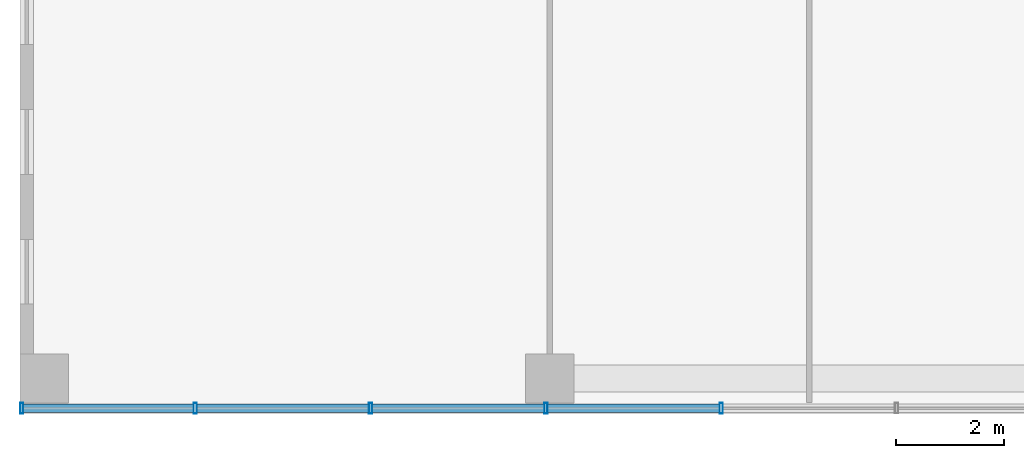
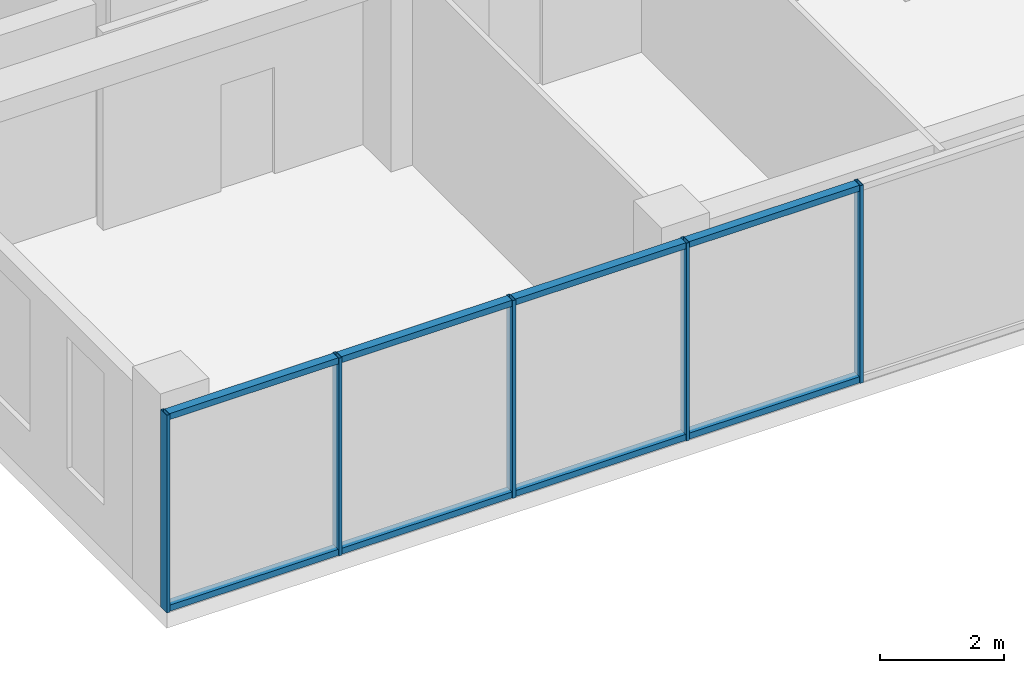
# One storey, part 2 of 38: 13 members, 1 element without a shape of its own.
"""IFC4 building model written with IfcOpenShell, lengths in metres."""

import ifcopenshell
import ifcopenshell.guid

model = None  # the IFC model being written
_history = None  # IfcOwnerHistory: only IFC2X3 demands one
_inside = {}  # id of a spatial element -> (the spatial element, [elements in it])
_under = {}  # id of a project, library or spatial element -> (it, [spatial elements below it])
_declared = {}  # id of a project -> (the project, [libraries it declares])
_typed = {}  # id of a type object -> (the type object, [elements of that type])
_made_of = {}  # id of a material, layer set ... -> (it, [elements and type objects made of it])


def new_model(schema):
    """Start an empty IFC model of exactly this schema.

    Asked for "IFC4X3", IfcOpenShell would pick the latest addendum, in which some entities
    have other attributes; the version numbers below select the first issue.
    IFC2X3 requires an IfcOwnerHistory on every rooted entity: one is made here for all.
    """
    global model, _history
    if schema == "IFC4X3":
        model = ifcopenshell.file(schema_version=(4, 3, 0, 0))
    else:
        model = ifcopenshell.file(schema=schema)
    _inside.clear()
    _under.clear()
    _declared.clear()
    _typed.clear()
    _made_of.clear()
    _history = None
    if model.schema == "IFC2X3":
        org = make("IfcOrganization", Name="unknown")
        user = make(
            "IfcPersonAndOrganization",
            ThePerson=make("IfcPerson", FamilyName="unknown"),
            TheOrganization=org,
        )
        app = make(
            "IfcApplication",
            ApplicationDeveloper=org,
            Version="unknown",
            ApplicationFullName="unknown",
            ApplicationIdentifier="unknown",
        )
        _history = make(
            "IfcOwnerHistory",
            OwningUser=user,
            OwningApplication=app,
            ChangeAction="ADDED",
            CreationDate=0,
        )
    return model


def make(cls, **values):
    """One entity of the class cls with the attributes given. An attribute that is None is left unset."""
    return model.create_entity(
        cls, **{name: value for name, value in values.items() if value is not None}
    )


def rooted(cls, **values):
    """An entity with a GlobalId (a new one), such as an element, a storey or a relation."""
    return make(cls, GlobalId=ifcopenshell.guid.new(), OwnerHistory=_history, **values)


def si_unit(unit_type, name, prefix=None):
    """IfcSIUnit, for example si_unit("LENGTHUNIT", "METRE", prefix="MILLI")."""
    return make("IfcSIUnit", UnitType=unit_type, Prefix=prefix, Name=name)


def assignment(units):
    """IfcUnitAssignment: the units of a project."""
    return None if units is None else make("IfcUnitAssignment", Units=units)


def point(xyz):
    """IfcCartesianPoint."""
    return None if xyz is None else make("IfcCartesianPoint", Coordinates=xyz)


def direction(xyz):
    """IfcDirection."""
    return None if xyz is None else make("IfcDirection", DirectionRatios=xyz)


def frame(location, z_axis=None, x_axis=None):
    """IfcAxis2Placement3D, a coordinate frame: its origin and axes. An axis left out is left unset."""
    return make(
        "IfcAxis2Placement3D",
        Location=point(location),
        Axis=direction(z_axis),
        RefDirection=direction(x_axis),
    )


def frame_2d(location, x_axis=None):
    """IfcAxis2Placement2D, a coordinate frame in the plane: its origin and x axis."""
    return make(
        "IfcAxis2Placement2D", Location=point(location), RefDirection=direction(x_axis)
    )


def origin():
    """The frame at (0, 0, 0) with its axes left unset."""
    return frame((0.0, 0.0, 0.0))


def origin_2d():
    """The frame at (0, 0) in the plane with its x axis left unset."""
    return frame_2d((0.0, 0.0))


def place(relative_to, where):
    """IfcLocalPlacement: puts the frame where relative to a parent placement (None: the world)."""
    return make(
        "IfcLocalPlacement", PlacementRelTo=relative_to, RelativePlacement=where
    )


def context(
    kind, dimensions, precision=None, world=None, true_north=None, identifier=None
):
    """IfcGeometricRepresentationContext, for example the 3D "Model" context."""
    return make(
        "IfcGeometricRepresentationContext",
        ContextIdentifier=identifier,
        ContextType=kind,
        CoordinateSpaceDimension=dimensions,
        Precision=precision,
        WorldCoordinateSystem=world,
        TrueNorth=true_north,
    )


def subcontext(parent, identifier, kind, view, scale=None):
    """IfcGeometricRepresentationSubContext, for example "Body" below "Model"."""
    return make(
        "IfcGeometricRepresentationSubContext",
        ContextIdentifier=identifier,
        ContextType=kind,
        ParentContext=parent,
        TargetScale=scale,
        TargetView=view,
    )


def project(units=None, contexts=None):
    """IfcProject with its units and contexts."""
    return rooted(
        "IfcProject",
        Name="project",
        RepresentationContexts=contexts,
        UnitsInContext=assignment(units),
    )


def spatial(cls, under=None, at=None, **own):
    """A site, building, storey or space (cls), placed at a placement, below another one or the project."""
    s = rooted(cls, ObjectPlacement=at, **own)
    if under is not None:
        _under.setdefault(under.id(), (under, []))[1].append(s)
    return s


def profile(cls, at=None, kind="AREA", **sizes):
    """A parametric profile (cls). Its sizes go by their IFC names, for example OverallWidth=200.0."""
    return make(cls, ProfileType=kind, Position=at, **sizes)


def hollow_rectangle(**sizes):
    """IfcRectangleHollowProfileDef."""
    return profile("IfcRectangleHollowProfileDef", **sizes)


def extrude(swept, where, along, depth):
    """IfcExtrudedAreaSolid: the profile swept, set in the frame where, extruded along a direction by depth."""
    return make(
        "IfcExtrudedAreaSolid",
        SweptArea=swept,
        Position=where,
        ExtrudedDirection=direction(along),
        Depth=depth,
    )


def shape(context_of_items, identifier, shape_type, items):
    """IfcShapeRepresentation: the items that make up one representation, for example the "Body"."""
    return make(
        "IfcShapeRepresentation",
        ContextOfItems=context_of_items,
        RepresentationIdentifier=identifier,
        RepresentationType=shape_type,
        Items=items,
    )


def material(Name=None, Category=None):
    """IfcMaterial."""
    return make("IfcMaterial", Name=Name, Category=Category)


def layer(
    of_material, thickness, ventilated=None, Name=None, Category=None, Priority=None
):
    """IfcMaterialLayer: one layer of a wall or slab, of a material (None: an air gap)."""
    return make(
        "IfcMaterialLayer",
        Material=of_material,
        LayerThickness=thickness,
        IsVentilated=ventilated,
        Name=Name,
        Category=Category,
        Priority=Priority,
    )


def layer_set(layers, Name=None):
    """IfcMaterialLayerSet."""
    return make("IfcMaterialLayerSet", MaterialLayers=layers, LayerSetName=Name)


def material_profile(
    of_material, cross_section, Name=None, Category=None, Priority=None
):
    """IfcMaterialProfile: a cross section and its material."""
    return make(
        "IfcMaterialProfile",
        Name=Name,
        Material=of_material,
        Profile=cross_section,
        Priority=Priority,
        Category=Category,
    )


def profile_set(profiles, Name=None, composite=None):
    """IfcMaterialProfileSet."""
    return make(
        "IfcMaterialProfileSet",
        Name=Name,
        MaterialProfiles=profiles,
        CompositeProfile=composite,
    )


def made_of(thing, what):
    """Note that an element or type object is made of a material, layer set ...; save() writes the relation."""
    if what is not None:
        _made_of.setdefault(what.id(), (what, []))[1].append(thing)
    return thing


def type_object(cls, material=None, **own):
    """A type object (cls), such as IfcWallType, which elements share."""
    return made_of(rooted(cls, **own), material)


def element(
    cls,
    number,
    at=None,
    inside=None,
    cuts=None,
    type_object=None,
    material=None,
    context=None,
    identifier="Body",
    shape_type=None,
    held_by="IfcProductDefinitionShape",
    body=None,
    shapes=None,
    **own,
):
    """One element of the class cls, such as IfcWall. Its Tag is "e" and its number.

    at: its placement. inside: the storey or other place that contains it. cuts: it is an
    opening in that element (IfcRelVoidsElement). A single representation is given by context,
    identifier, shape_type and body (its items); several are given by shapes. held_by: the class
    of the entity that holds the representations. save() writes the other relations.
    """
    e = rooted(cls, Tag="e%d" % number, ObjectPlacement=at, **own)
    if body is not None:
        shapes = [shape(context, identifier, shape_type, body)]
    if shapes is not None:
        e.Representation = make(held_by, Representations=shapes)
    if inside is not None:
        _inside.setdefault(inside.id(), (inside, []))[1].append(e)
    if cuts is not None:
        rooted(
            "IfcRelVoidsElement", RelatingBuildingElement=cuts, RelatedOpeningElement=e
        )
    if type_object is not None:
        _typed.setdefault(type_object.id(), (type_object, []))[1].append(e)
    return made_of(e, material)


def aggregate(whole, parts):
    """IfcRelAggregates: a whole, such as a stair, and the parts it consists of."""
    return rooted("IfcRelAggregates", RelatingObject=whole, RelatedObjects=parts)


def save(model, path):
    """Write the relations noted so far, then the file.

    IfcRelAggregates (storeys below a building ...), IfcRelContainedInSpatialStructure (elements
    in a storey), IfcRelDefinesByType, IfcRelAssociatesMaterial and IfcRelDeclares: one each for
    every whole, place, type object, material and project.
    """
    for whole, parts in _under.values():
        aggregate(whole, parts)
    for where, things in _inside.values():
        rooted(
            "IfcRelContainedInSpatialStructure",
            RelatedElements=things,
            RelatingStructure=where,
        )
    for kind, things in _typed.values():
        rooted("IfcRelDefinesByType", RelatedObjects=things, RelatingType=kind)
    for what, things in _made_of.values():
        rooted("IfcRelAssociatesMaterial", RelatedObjects=things, RelatingMaterial=what)
    for by, libraries in _declared.values():
        rooted("IfcRelDeclares", RelatingContext=by, RelatedDefinitions=libraries)
    model.write(path)


model = new_model("IFC4")

# Units and contexts
model_context = context("Model", 3, precision=1e-05, world=origin(), true_north=direction((0.0, 1.0)))
body_context = subcontext(model_context, "Body", "Model", "MODEL_VIEW")
ifc_project = project(units=[si_unit("LENGTHUNIT", "METRE"), si_unit("AREAUNIT", "SQUARE_METRE"), si_unit("VOLUMEUNIT", "CUBIC_METRE"), si_unit("PLANEANGLEUNIT", "RADIAN"), si_unit("MASSUNIT", "GRAM", prefix="KILO")], contexts=[model_context])

# Site, building, storey
site_placement = place(None, origin())
site = spatial("IfcSite", under=ifc_project, at=site_placement, CompositionType="ELEMENT")
building_placement = place(site_placement, origin())
building = spatial("IfcBuilding", under=site, at=building_placement, Name="Nzadi Deep Aquarium and Research Tower", CompositionType="ELEMENT")
storey_placement = place(building_placement, frame((0.0, 0.0, 52.89990234375)))
storey = spatial("IfcBuildingStorey", under=building, at=storey_placement, Name="L10", CompositionType="ELEMENT", Elevation=52.89990234375)

# Curtain wall, members
ifc_material_1 = material(Name="Aluminium unitised frame", Category="aluminium")
ifc_layer = layer(ifc_material_1, 0.199951171875)
ifc_layer_set = layer_set([ifc_layer], Name="Aluminium unitised frame")
curtain_wall_type = type_object("IfcCurtainWallType", Name="Curtain wall Unitised 200", PredefinedType="NOTDEFINED", material=ifc_layer_set)
curtain_wall_placement = place(storey_placement, origin())
curtain_wall = element("IfcCurtainWall", 1, at=curtain_wall_placement, inside=storey, type_object=curtain_wall_type, Name="Unitised curtain wall blade A south L10", PredefinedType="NOTDEFINED")
ifc_material_2 = material(Name="Aluminium unitised frame", Category="aluminium")
ifc_material_profile_1 = material_profile(ifc_material_2, hollow_rectangle(XDim=0.199951171875, YDim=0.06005859375, WallThickness=0.0048828125, at=origin_2d()))
ifc_profile_set_1 = profile_set([ifc_material_profile_1], Name="Aluminium unitised frame")
member_type_1 = type_object("IfcMemberType", Name="Mullion 60x200 Unitised", PredefinedType="MULLION", material=ifc_profile_set_1)
member_1_placement = place(storey_placement, frame((-0.16943359375, -0.10009765625, 0.0), z_axis=(0.0, 0.0, 1.0), x_axis=(0.0, 1.0, 0.0)))
member_1 = element("IfcMember", 2, at=member_1_placement, type_object=member_type_1, Name="CW036 mullion 1", PredefinedType="MULLION", context=body_context, shape_type="SweptSolid", body=[
    extrude(hollow_rectangle(XDim=0.199951171875, YDim=0.06005859375, WallThickness=0.0048828125, at=origin_2d()), origin(), (0.0, 0.0, 1.0), 3.900146484375),
])
member_2_placement = place(storey_placement, frame((3.043212890625, -0.10009765625, 0.0), z_axis=(0.0, 0.0, 1.0), x_axis=(0.0, 1.0, 0.0)))
member_2 = element("IfcMember", 3, at=member_2_placement, type_object=member_type_1, Name="CW036 mullion 2", PredefinedType="MULLION", context=body_context, shape_type="SweptSolid", body=[
    extrude(hollow_rectangle(XDim=0.199951171875, YDim=0.06005859375, WallThickness=0.0048828125, at=origin_2d()), origin(), (0.0, 0.0, 1.0), 3.900146484375),
])
member_3_placement = place(storey_placement, frame((6.28662109375, -0.10009765625, 0.0), z_axis=(0.0, 0.0, 1.0), x_axis=(0.0, 1.0, 0.0)))
member_3 = element("IfcMember", 4, at=member_3_placement, type_object=member_type_1, Name="CW036 mullion 3", PredefinedType="MULLION", context=body_context, shape_type="SweptSolid", body=[
    extrude(hollow_rectangle(XDim=0.199951171875, YDim=0.06005859375, WallThickness=0.0048828125, at=origin_2d()), origin(), (0.0, 0.0, 1.0), 3.900146484375),
])
member_4_placement = place(storey_placement, frame((9.530029296875, -0.10009765625, 0.0), z_axis=(0.0, 0.0, 1.0), x_axis=(0.0, 1.0, 0.0)))
member_4 = element("IfcMember", 5, at=member_4_placement, type_object=member_type_1, Name="CW036 mullion 4", PredefinedType="MULLION", context=body_context, shape_type="SweptSolid", body=[
    extrude(hollow_rectangle(XDim=0.199951171875, YDim=0.06005859375, WallThickness=0.0048828125, at=origin_2d()), origin(), (0.0, 0.0, 1.0), 3.900146484375),
])
member_5_placement = place(storey_placement, frame((12.7734375, -0.10009765625, 0.0), z_axis=(0.0, 0.0, 1.0), x_axis=(0.0, 1.0, 0.0)))
member_5 = element("IfcMember", 6, at=member_5_placement, type_object=member_type_1, Name="CW036 mullion 5", PredefinedType="MULLION", context=body_context, shape_type="SweptSolid", body=[
    extrude(hollow_rectangle(XDim=0.199951171875, YDim=0.06005859375, WallThickness=0.0048828125, at=origin_2d()), origin(), (0.0, 0.0, 1.0), 3.900146484375),
])
ifc_material_3 = material(Name="Aluminium unitised frame", Category="aluminium")
ifc_material_profile_2 = material_profile(ifc_material_3, hollow_rectangle(XDim=0.159912109375, YDim=0.1201171875, WallThickness=0.0048828125, at=origin_2d()))
ifc_profile_set_2 = profile_set([ifc_material_profile_2], Name="Aluminium unitised frame")
member_type_2 = type_object("IfcMemberType", Name="Transom 120x160 Unitised", PredefinedType="MULLION", material=ifc_profile_set_2)
member_6_placement = place(storey_placement, frame((-0.139892578125, -0.10009765625, 0.06005859375), z_axis=(1.0, 0.0, 0.0), x_axis=(0.0, 1.0, 0.0)))
member_6 = element("IfcMember", 7, at=member_6_placement, type_object=member_type_2, Name="CW036 transom 1.1", PredefinedType="MULLION", context=body_context, shape_type="SweptSolid", body=[
    extrude(hollow_rectangle(XDim=0.159912109375, YDim=0.1201171875, WallThickness=0.0048828125, at=origin_2d()), origin(), (0.0, 0.0, 1.0), 3.1533203125),
])
member_7_placement = place(storey_placement, frame((-0.139892578125, -0.10009765625, 3.840087890625), z_axis=(1.0, 0.0, 0.0), x_axis=(0.0, 1.0, 0.0)))
member_7 = element("IfcMember", 8, at=member_7_placement, type_object=member_type_2, Name="CW036 transom 1.2", PredefinedType="MULLION", context=body_context, shape_type="SweptSolid", body=[
    extrude(hollow_rectangle(XDim=0.159912109375, YDim=0.1201171875, WallThickness=0.0048828125, at=origin_2d()), origin(), (0.0, 0.0, 1.0), 3.1533203125),
])
member_8_placement = place(storey_placement, frame((3.0732421875, -0.10009765625, 0.06005859375), z_axis=(1.0, 0.0, 0.0), x_axis=(0.0, 1.0, 0.0)))
member_8 = element("IfcMember", 9, at=member_8_placement, type_object=member_type_2, Name="CW036 transom 2.1", PredefinedType="MULLION", context=body_context, shape_type="SweptSolid", body=[
    extrude(hollow_rectangle(XDim=0.159912109375, YDim=0.1201171875, WallThickness=0.0048828125, at=origin_2d()), origin(), (0.0, 0.0, 1.0), 3.183349609375),
])
member_9_placement = place(storey_placement, frame((3.0732421875, -0.10009765625, 3.840087890625), z_axis=(1.0, 0.0, 0.0), x_axis=(0.0, 1.0, 0.0)))
member_9 = element("IfcMember", 10, at=member_9_placement, type_object=member_type_2, Name="CW036 transom 2.2", PredefinedType="MULLION", context=body_context, shape_type="SweptSolid", body=[
    extrude(hollow_rectangle(XDim=0.159912109375, YDim=0.1201171875, WallThickness=0.0048828125, at=origin_2d()), origin(), (0.0, 0.0, 1.0), 3.183349609375),
])
member_10_placement = place(storey_placement, frame((6.316650390625, -0.10009765625, 0.06005859375), z_axis=(1.0, 0.0, 0.0), x_axis=(0.0, 1.0, 0.0)))
member_10 = element("IfcMember", 11, at=member_10_placement, type_object=member_type_2, Name="CW036 transom 3.1", PredefinedType="MULLION", context=body_context, shape_type="SweptSolid", body=[
    extrude(hollow_rectangle(XDim=0.159912109375, YDim=0.1201171875, WallThickness=0.0048828125, at=origin_2d()), origin(), (0.0, 0.0, 1.0), 3.183349609375),
])
member_11_placement = place(storey_placement, frame((6.316650390625, -0.10009765625, 3.840087890625), z_axis=(1.0, 0.0, 0.0), x_axis=(0.0, 1.0, 0.0)))
member_11 = element("IfcMember", 12, at=member_11_placement, type_object=member_type_2, Name="CW036 transom 3.2", PredefinedType="MULLION", context=body_context, shape_type="SweptSolid", body=[
    extrude(hollow_rectangle(XDim=0.159912109375, YDim=0.1201171875, WallThickness=0.0048828125, at=origin_2d()), origin(), (0.0, 0.0, 1.0), 3.183349609375),
])
member_12_placement = place(storey_placement, frame((9.56005859375, -0.10009765625, 0.06005859375), z_axis=(1.0, 0.0, 0.0), x_axis=(0.0, 1.0, 0.0)))
member_12 = element("IfcMember", 13, at=member_12_placement, type_object=member_type_2, Name="CW036 transom 4.1", PredefinedType="MULLION", context=body_context, shape_type="SweptSolid", body=[
    extrude(hollow_rectangle(XDim=0.159912109375, YDim=0.1201171875, WallThickness=0.0048828125, at=origin_2d()), origin(), (0.0, 0.0, 1.0), 3.183349609375),
])
member_13_placement = place(storey_placement, frame((9.56005859375, -0.10009765625, 3.840087890625), z_axis=(1.0, 0.0, 0.0), x_axis=(0.0, 1.0, 0.0)))
member_13 = element("IfcMember", 14, at=member_13_placement, type_object=member_type_2, Name="CW036 transom 4.2", PredefinedType="MULLION", context=body_context, shape_type="SweptSolid", body=[
    extrude(hollow_rectangle(XDim=0.159912109375, YDim=0.1201171875, WallThickness=0.0048828125, at=origin_2d()), origin(), (0.0, 0.0, 1.0), 3.183349609375),
])
aggregate(curtain_wall, [member_1, member_2, member_3, member_4, member_5, member_6, member_7, member_8, member_9, member_10, member_11, member_12, member_13])

save(model, "model.ifc")
